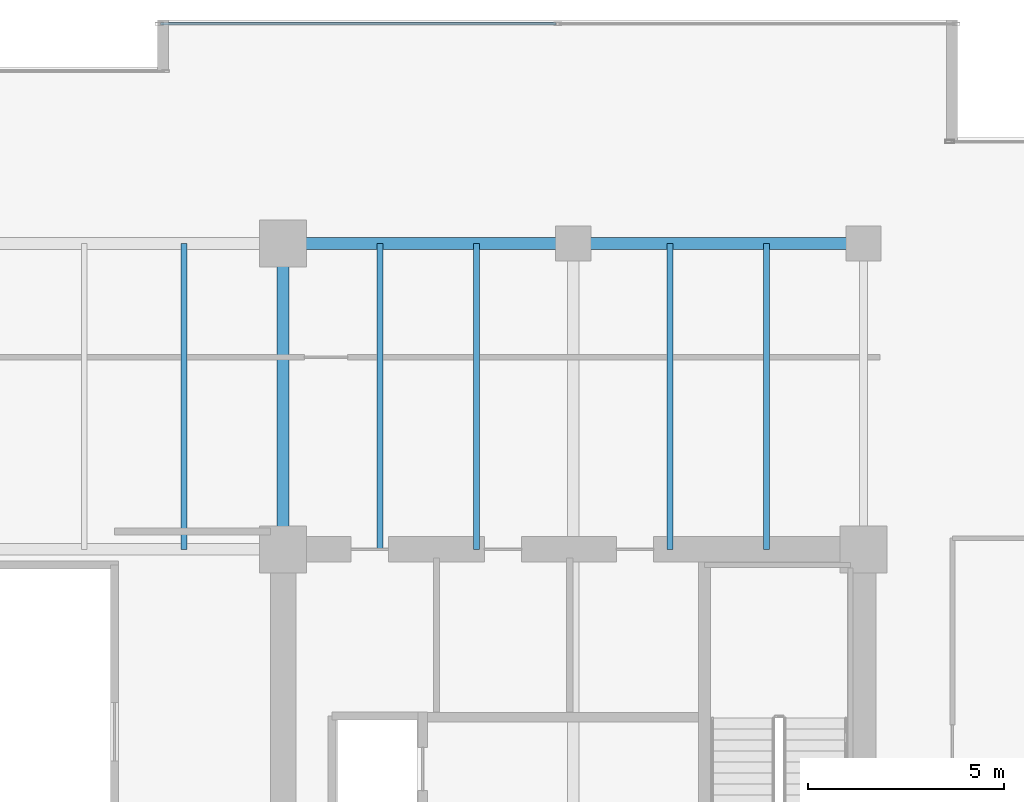
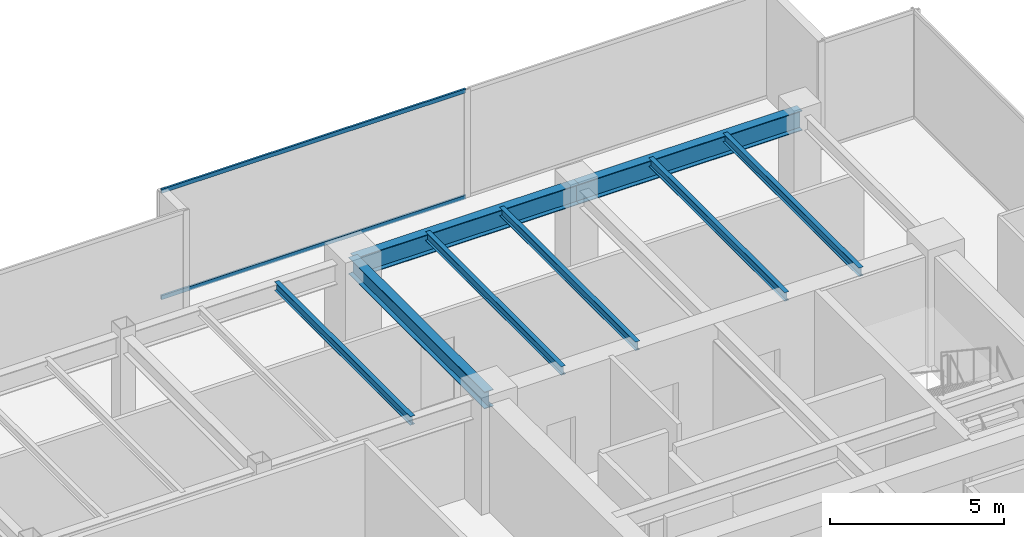
# One storey, part 19 of 30: 8 beams, 2 members, 1 element without a shape of its own.
"""IFC4 building model written with IfcOpenShell, lengths in metres."""

import ifcopenshell
import ifcopenshell.guid

model = None  # the IFC model being written
_history = None  # IfcOwnerHistory: only IFC2X3 demands one
_inside = {}  # id of a spatial element -> (the spatial element, [elements in it])
_under = {}  # id of a project, library or spatial element -> (it, [spatial elements below it])
_declared = {}  # id of a project -> (the project, [libraries it declares])
_typed = {}  # id of a type object -> (the type object, [elements of that type])
_made_of = {}  # id of a material, layer set ... -> (it, [elements and type objects made of it])


def new_model(schema):
    """Start an empty IFC model of exactly this schema.

    Asked for "IFC4X3", IfcOpenShell would pick the latest addendum, in which some entities
    have other attributes; the version numbers below select the first issue.
    IFC2X3 requires an IfcOwnerHistory on every rooted entity: one is made here for all.
    """
    global model, _history
    if schema == "IFC4X3":
        model = ifcopenshell.file(schema_version=(4, 3, 0, 0))
    else:
        model = ifcopenshell.file(schema=schema)
    _inside.clear()
    _under.clear()
    _declared.clear()
    _typed.clear()
    _made_of.clear()
    _history = None
    if model.schema == "IFC2X3":
        org = make("IfcOrganization", Name="unknown")
        user = make(
            "IfcPersonAndOrganization",
            ThePerson=make("IfcPerson", FamilyName="unknown"),
            TheOrganization=org,
        )
        app = make(
            "IfcApplication",
            ApplicationDeveloper=org,
            Version="unknown",
            ApplicationFullName="unknown",
            ApplicationIdentifier="unknown",
        )
        _history = make(
            "IfcOwnerHistory",
            OwningUser=user,
            OwningApplication=app,
            ChangeAction="ADDED",
            CreationDate=0,
        )
    return model


def make(cls, **values):
    """One entity of the class cls with the attributes given. An attribute that is None is left unset."""
    return model.create_entity(
        cls, **{name: value for name, value in values.items() if value is not None}
    )


def rooted(cls, **values):
    """An entity with a GlobalId (a new one), such as an element, a storey or a relation."""
    return make(cls, GlobalId=ifcopenshell.guid.new(), OwnerHistory=_history, **values)


def si_unit(unit_type, name, prefix=None):
    """IfcSIUnit, for example si_unit("LENGTHUNIT", "METRE", prefix="MILLI")."""
    return make("IfcSIUnit", UnitType=unit_type, Prefix=prefix, Name=name)


def assignment(units):
    """IfcUnitAssignment: the units of a project."""
    return None if units is None else make("IfcUnitAssignment", Units=units)


def point(xyz):
    """IfcCartesianPoint."""
    return None if xyz is None else make("IfcCartesianPoint", Coordinates=xyz)


def direction(xyz):
    """IfcDirection."""
    return None if xyz is None else make("IfcDirection", DirectionRatios=xyz)


def frame(location, z_axis=None, x_axis=None):
    """IfcAxis2Placement3D, a coordinate frame: its origin and axes. An axis left out is left unset."""
    return make(
        "IfcAxis2Placement3D",
        Location=point(location),
        Axis=direction(z_axis),
        RefDirection=direction(x_axis),
    )


def frame_2d(location, x_axis=None):
    """IfcAxis2Placement2D, a coordinate frame in the plane: its origin and x axis."""
    return make(
        "IfcAxis2Placement2D", Location=point(location), RefDirection=direction(x_axis)
    )


def origin():
    """The frame at (0, 0, 0) with its axes left unset."""
    return frame((0.0, 0.0, 0.0))


def origin_2d():
    """The frame at (0, 0) in the plane with its x axis left unset."""
    return frame_2d((0.0, 0.0))


def place(relative_to, where):
    """IfcLocalPlacement: puts the frame where relative to a parent placement (None: the world)."""
    return make(
        "IfcLocalPlacement", PlacementRelTo=relative_to, RelativePlacement=where
    )


def context(
    kind, dimensions, precision=None, world=None, true_north=None, identifier=None
):
    """IfcGeometricRepresentationContext, for example the 3D "Model" context."""
    return make(
        "IfcGeometricRepresentationContext",
        ContextIdentifier=identifier,
        ContextType=kind,
        CoordinateSpaceDimension=dimensions,
        Precision=precision,
        WorldCoordinateSystem=world,
        TrueNorth=true_north,
    )


def subcontext(parent, identifier, kind, view, scale=None):
    """IfcGeometricRepresentationSubContext, for example "Body" below "Model"."""
    return make(
        "IfcGeometricRepresentationSubContext",
        ContextIdentifier=identifier,
        ContextType=kind,
        ParentContext=parent,
        TargetScale=scale,
        TargetView=view,
    )


def project(units=None, contexts=None):
    """IfcProject with its units and contexts."""
    return rooted(
        "IfcProject",
        Name="project",
        RepresentationContexts=contexts,
        UnitsInContext=assignment(units),
    )


def spatial(cls, under=None, at=None, **own):
    """A site, building, storey or space (cls), placed at a placement, below another one or the project."""
    s = rooted(cls, ObjectPlacement=at, **own)
    if under is not None:
        _under.setdefault(under.id(), (under, []))[1].append(s)
    return s


def profile(cls, at=None, kind="AREA", **sizes):
    """A parametric profile (cls). Its sizes go by their IFC names, for example OverallWidth=200.0."""
    return make(cls, ProfileType=kind, Position=at, **sizes)


def hollow_rectangle(**sizes):
    """IfcRectangleHollowProfileDef."""
    return profile("IfcRectangleHollowProfileDef", **sizes)


def i_section(**sizes):
    """IfcIShapeProfileDef."""
    return profile("IfcIShapeProfileDef", **sizes)


def extrude(swept, where, along, depth):
    """IfcExtrudedAreaSolid: the profile swept, set in the frame where, extruded along a direction by depth."""
    return make(
        "IfcExtrudedAreaSolid",
        SweptArea=swept,
        Position=where,
        ExtrudedDirection=direction(along),
        Depth=depth,
    )


def shape(context_of_items, identifier, shape_type, items):
    """IfcShapeRepresentation: the items that make up one representation, for example the "Body"."""
    return make(
        "IfcShapeRepresentation",
        ContextOfItems=context_of_items,
        RepresentationIdentifier=identifier,
        RepresentationType=shape_type,
        Items=items,
    )


def source(mapping_origin, context_of_items, identifier, shape_type, items):
    """IfcRepresentationMap: a shape defined once, which mapped items show again and again."""
    return make(
        "IfcRepresentationMap",
        MappingOrigin=mapping_origin,
        MappedRepresentation=shape(context_of_items, identifier, shape_type, items),
    )


def transform(
    local_origin,
    x_axis=None,
    y_axis=None,
    z_axis=None,
    scale=None,
    scale2=None,
    scale3=None,
    uniform=True,
):
    """IfcCartesianTransformationOperator3D, or its non-uniform kind. x_axis, y_axis, z_axis: its Axis1, 2, 3."""
    if uniform:
        return make(
            "IfcCartesianTransformationOperator3D",
            Axis1=direction(x_axis),
            Axis2=direction(y_axis),
            LocalOrigin=point(local_origin),
            Scale=scale,
            Axis3=direction(z_axis),
        )
    return make(
        "IfcCartesianTransformationOperator3DnonUniform",
        Axis1=direction(x_axis),
        Axis2=direction(y_axis),
        LocalOrigin=point(local_origin),
        Scale=scale,
        Axis3=direction(z_axis),
        Scale2=scale2,
        Scale3=scale3,
    )


def mapped(mapping_source, mapping_target):
    """IfcMappedItem: shows the shape of a source again, moved by a transform."""
    return make(
        "IfcMappedItem", MappingSource=mapping_source, MappingTarget=mapping_target
    )


def material(Name=None, Category=None):
    """IfcMaterial."""
    return make("IfcMaterial", Name=Name, Category=Category)


def layer(
    of_material, thickness, ventilated=None, Name=None, Category=None, Priority=None
):
    """IfcMaterialLayer: one layer of a wall or slab, of a material (None: an air gap)."""
    return make(
        "IfcMaterialLayer",
        Material=of_material,
        LayerThickness=thickness,
        IsVentilated=ventilated,
        Name=Name,
        Category=Category,
        Priority=Priority,
    )


def layer_set(layers, Name=None):
    """IfcMaterialLayerSet."""
    return make("IfcMaterialLayerSet", MaterialLayers=layers, LayerSetName=Name)


def material_profile(
    of_material, cross_section, Name=None, Category=None, Priority=None
):
    """IfcMaterialProfile: a cross section and its material."""
    return make(
        "IfcMaterialProfile",
        Name=Name,
        Material=of_material,
        Profile=cross_section,
        Priority=Priority,
        Category=Category,
    )


def profile_set(profiles, Name=None, composite=None):
    """IfcMaterialProfileSet."""
    return make(
        "IfcMaterialProfileSet",
        Name=Name,
        MaterialProfiles=profiles,
        CompositeProfile=composite,
    )


def made_of(thing, what):
    """Note that an element or type object is made of a material, layer set ...; save() writes the relation."""
    if what is not None:
        _made_of.setdefault(what.id(), (what, []))[1].append(thing)
    return thing


def type_object(cls, material=None, **own):
    """A type object (cls), such as IfcWallType, which elements share."""
    return made_of(rooted(cls, **own), material)


def type_shapes(of_type, sources):
    """Give a type object the sources (RepresentationMaps) that its elements show as mapped items."""
    of_type.RepresentationMaps = sources


def element(
    cls,
    number,
    at=None,
    inside=None,
    cuts=None,
    type_object=None,
    material=None,
    context=None,
    identifier="Body",
    shape_type=None,
    held_by="IfcProductDefinitionShape",
    body=None,
    shapes=None,
    **own,
):
    """One element of the class cls, such as IfcWall. Its Tag is "e" and its number.

    at: its placement. inside: the storey or other place that contains it. cuts: it is an
    opening in that element (IfcRelVoidsElement). A single representation is given by context,
    identifier, shape_type and body (its items); several are given by shapes. held_by: the class
    of the entity that holds the representations. save() writes the other relations.
    """
    e = rooted(cls, Tag="e%d" % number, ObjectPlacement=at, **own)
    if body is not None:
        shapes = [shape(context, identifier, shape_type, body)]
    if shapes is not None:
        e.Representation = make(held_by, Representations=shapes)
    if inside is not None:
        _inside.setdefault(inside.id(), (inside, []))[1].append(e)
    if cuts is not None:
        rooted(
            "IfcRelVoidsElement", RelatingBuildingElement=cuts, RelatedOpeningElement=e
        )
    if type_object is not None:
        _typed.setdefault(type_object.id(), (type_object, []))[1].append(e)
    return made_of(e, material)


def aggregate(whole, parts):
    """IfcRelAggregates: a whole, such as a stair, and the parts it consists of."""
    return rooted("IfcRelAggregates", RelatingObject=whole, RelatedObjects=parts)


def save(model, path):
    """Write the relations noted so far, then the file.

    IfcRelAggregates (storeys below a building ...), IfcRelContainedInSpatialStructure (elements
    in a storey), IfcRelDefinesByType, IfcRelAssociatesMaterial and IfcRelDeclares: one each for
    every whole, place, type object, material and project.
    """
    for whole, parts in _under.values():
        aggregate(whole, parts)
    for where, things in _inside.values():
        rooted(
            "IfcRelContainedInSpatialStructure",
            RelatedElements=things,
            RelatingStructure=where,
        )
    for kind, things in _typed.values():
        rooted("IfcRelDefinesByType", RelatedObjects=things, RelatingType=kind)
    for what, things in _made_of.values():
        rooted("IfcRelAssociatesMaterial", RelatedObjects=things, RelatingMaterial=what)
    for by, libraries in _declared.values():
        rooted("IfcRelDeclares", RelatingContext=by, RelatedDefinitions=libraries)
    model.write(path)


model = new_model("IFC4")

# Units and contexts
model_context = context("Model", 3, precision=1e-05, world=origin(), true_north=direction((0.0, 1.0)))
body_context = subcontext(model_context, "Body", "Model", "MODEL_VIEW")
ifc_project = project(units=[si_unit("LENGTHUNIT", "METRE"), si_unit("AREAUNIT", "SQUARE_METRE"), si_unit("VOLUMEUNIT", "CUBIC_METRE"), si_unit("PLANEANGLEUNIT", "RADIAN"), si_unit("MASSUNIT", "GRAM", prefix="KILO")], contexts=[model_context])

# Site, building, storey
site_placement = place(None, origin())
site = spatial("IfcSite", under=ifc_project, at=site_placement, CompositionType="ELEMENT")
building_placement = place(site_placement, origin())
building = spatial("IfcBuilding", under=site, at=building_placement, Name="Haelvirn Gate Laboratories", CompositionType="ELEMENT")
storey_placement = place(building_placement, frame((0.0, 0.0, 183.0)))
storey = spatial("IfcBuildingStorey", under=building, at=storey_placement, Name="L44", CompositionType="ELEMENT", Elevation=183.0)

# Beams
ifc_material_1 = material(Name="Steel SM355", Category="steel")
ifc_material_profile_1 = material_profile(ifc_material_1, i_section(OverallWidth=0.300048828125, OverallDepth=0.699951171875, WebThickness=0.012939453125, FlangeThickness=0.02392578125, at=origin_2d()), Name="H-700x300x13x24")
ifc_profile_set_1 = profile_set([ifc_material_profile_1], Name="Steel SM355")
beam_type_1 = type_object("IfcBeamType", Name="BM-G-700", PredefinedType="BEAM", material=ifc_profile_set_1)
shared_shape_1 = source(origin(), body_context, "Body", "SweptSolid", [
    extrude(i_section(OverallWidth=0.300048828125, OverallDepth=0.699951171875, WebThickness=0.012939453125, FlangeThickness=0.02392578125, at=origin_2d()), origin(), (0.0, 0.0, 1.0), 7.39990234375),
])
type_shapes(beam_type_1, [shared_shape_1])
for number, where, z_axis, x_axis, name in (
    (1, (52.60009765625, 41.60009765625, 3.43994140625), (1.0, 0.0, 0.0), (0.0, 1.0, 0.0), "L44 Primary Girder Y41.6 (52.6-60.0)"),
    (2, (60.0, 41.60009765625, 3.43994140625), (1.0, 0.0, 0.0), (0.0, 1.0, 0.0), "L44 Primary Girder Y41.6 (60.0-67.4)"),
):
    element("IfcBeam", number, at=place(storey_placement, frame(where, z_axis=z_axis, x_axis=x_axis)), inside=storey, type_object=beam_type_1, Name=name, PredefinedType="BEAM", context=body_context, shape_type="MappedRepresentation", body=[
        mapped(shared_shape_1, transform((0.0, 0.0, 0.0), scale=1.0)),
    ])
ifc_material_profile_2 = material_profile(ifc_material_1, i_section(OverallWidth=0.14990234375, OverallDepth=0.300048828125, WebThickness=0.006591796875, FlangeThickness=0.009033203125, at=origin_2d()), Name="H-300x150x6.5x9")
ifc_profile_set_2 = profile_set([ifc_material_profile_2], Name="Steel SM355")
beam_type_2 = type_object("IfcBeamType", Name="BM-J-300", PredefinedType="JOIST", material=ifc_profile_set_2)
shared_shape_2 = source(origin(), body_context, "Body", "SweptSolid", [
    extrude(i_section(OverallWidth=0.14990234375, OverallDepth=0.300048828125, WebThickness=0.006591796875, FlangeThickness=0.009033203125, at=origin_2d()), origin(), (0.0, 0.0, 1.0), 7.800048828125),
])
type_shapes(beam_type_2, [shared_shape_2])
for number, where, z_axis, x_axis, name in (
    (3, (50.070068359375, 33.800048828125, 3.639892578125), (0.0, 1.0, 0.0), (-1.0, 0.0, 0.0), "L44 Composite Lab Joist North X50.07"),
    (4, (55.070068359375, 33.800048828125, 3.639892578125), (0.0, 1.0, 0.0), (-1.0, 0.0, 0.0), "L44 Composite Lab Joist North X55.07"),
    (5, (57.530029296875, 33.800048828125, 3.639892578125), (0.0, 1.0, 0.0), (-1.0, 0.0, 0.0), "L44 Composite Lab Joist North X57.53"),
    (6, (62.469970703125, 33.800048828125, 3.639892578125), (0.0, 1.0, 0.0), (-1.0, 0.0, 0.0), "L44 Composite Lab Joist North X62.47"),
    (7, (64.929931640625, 33.800048828125, 3.639892578125), (0.0, 1.0, 0.0), (-1.0, 0.0, 0.0), "L44 Composite Lab Joist North X64.93"),
):
    element("IfcBeam", number, at=place(storey_placement, frame(where, z_axis=z_axis, x_axis=x_axis)), inside=storey, type_object=beam_type_2, Name=name, PredefinedType="JOIST", context=body_context, shape_type="MappedRepresentation", body=[
        mapped(shared_shape_2, transform((0.0, 0.0, 0.0), scale=1.0)),
    ])
ifc_material_profile_3 = material_profile(ifc_material_1, i_section(OverallWidth=0.300048828125, OverallDepth=0.587890625, WebThickness=0.011962890625, FlangeThickness=0.02001953125, at=origin_2d()), Name="H-588x300x12x20")
ifc_profile_set_3 = profile_set([ifc_material_profile_3], Name="Steel SM355")
beam_type_3 = type_object("IfcBeamType", Name="BM-G-588", PredefinedType="BEAM", material=ifc_profile_set_3)
shared_shape_3 = source(origin(), body_context, "Body", "SweptSolid", [
    extrude(i_section(OverallWidth=0.300048828125, OverallDepth=0.587890625, WebThickness=0.011962890625, FlangeThickness=0.02001953125, at=origin_2d()), origin(), (0.0, 0.0, 1.0), 7.800048828125),
])
type_shapes(beam_type_3, [shared_shape_3])
beam_placement = place(storey_placement, frame((52.60009765625, 33.800048828125, 3.49609375), z_axis=(0.0, 1.0, 0.0), x_axis=(-1.0, 0.0, 0.0)))
element("IfcBeam", 8, at=beam_placement, inside=storey, type_object=beam_type_3, Name="L44 Frame Girder X52.6 (33.8-41.6)", PredefinedType="BEAM", context=body_context, shape_type="MappedRepresentation", body=[
    mapped(shared_shape_3, transform((0.0, 0.0, 0.0), scale=1.0)),
])

# Curtain wall, members
ifc_material_2 = material(Name="Anodised bronze unitised aluminium & triple low-E glass", Category="aluminium")
ifc_layer = layer(ifc_material_2, 0.179931640625, Name="CW-SYS-3")
ifc_layer_set = layer_set([ifc_layer], Name="Anodised bronze unitised aluminium & triple low-E glass")
curtain_wall_type = type_object("IfcCurtainWallType", Name="CW-SYS-3", PredefinedType="NOTDEFINED", material=ifc_layer_set)
curtain_wall_placement = place(storey_placement, origin())
curtain_wall = element("IfcCurtainWall", 9, at=curtain_wall_placement, inside=storey, type_object=curtain_wall_type, Name="L44 Unitised Curtain Wall CW-L44-P0-E10-1", PredefinedType="NOTDEFINED")
ifc_material_3 = material(Name="Extruded aluminium 6063-T6 (anodised bronze)", Category="aluminium")
ifc_material_profile_4 = material_profile(ifc_material_3, hollow_rectangle(XDim=0.06494140625, YDim=0.139892578125, WallThickness=0.00390625, at=origin_2d()), Name="CWT-140x65x4")
ifc_profile_set_4 = profile_set([ifc_material_profile_4], Name="Extruded aluminium 6063-T6 (anodised bronze)")
member_type = type_object("IfcMemberType", Name="CWT-T140", PredefinedType="USERDEFINED", material=ifc_profile_set_4)
shared_shape_4 = source(origin(), body_context, "Body", "SweptSolid", [
    extrude(hollow_rectangle(XDim=0.06494140625, YDim=0.139892578125, WallThickness=0.00390625, at=origin_2d()), origin(), (0.0, 0.0, 1.0), 10.08740234375),
])
type_shapes(member_type, [shared_shape_4])
member_1_placement = place(storey_placement, frame((49.47509765625, 47.199951171875, 0.032470703125), z_axis=(1.0, 0.0, 0.0), x_axis=(0.0, 1.0, 0.0)))
member_1 = element("IfcMember", 10, at=member_1_placement, type_object=member_type, Name="CW3 transom 1.1", ObjectType="TRANSOM", PredefinedType="USERDEFINED", context=body_context, shape_type="MappedRepresentation", body=[
    mapped(shared_shape_4, transform((0.0, 0.0, 0.0), scale=1.0)),
])
member_2_placement = place(storey_placement, frame((49.47509765625, 47.199951171875, 3.757568359375), z_axis=(1.0, 0.0, 0.0), x_axis=(0.0, 1.0, 0.0)))
member_2 = element("IfcMember", 11, at=member_2_placement, type_object=member_type, Name="CW3 transom 1.2", ObjectType="TRANSOM", PredefinedType="USERDEFINED", context=body_context, shape_type="MappedRepresentation", body=[
    mapped(shared_shape_4, transform((0.0, 0.0, 0.0), scale=1.0)),
])
aggregate(curtain_wall, [member_1, member_2])

save(model, "model.ifc")
